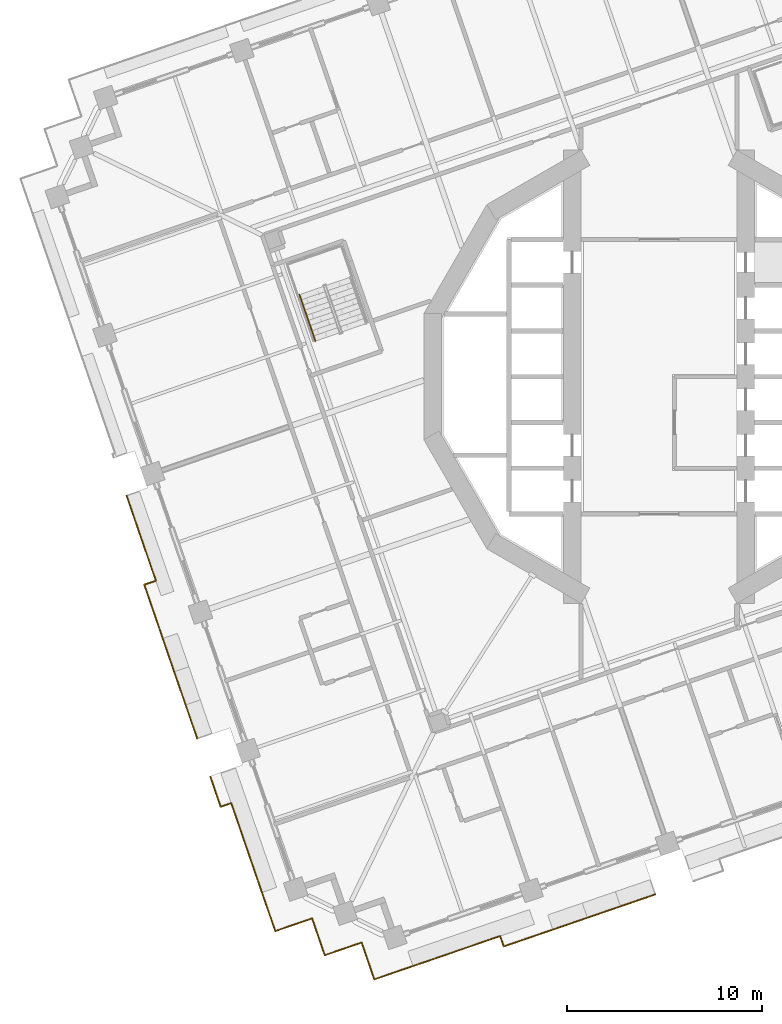
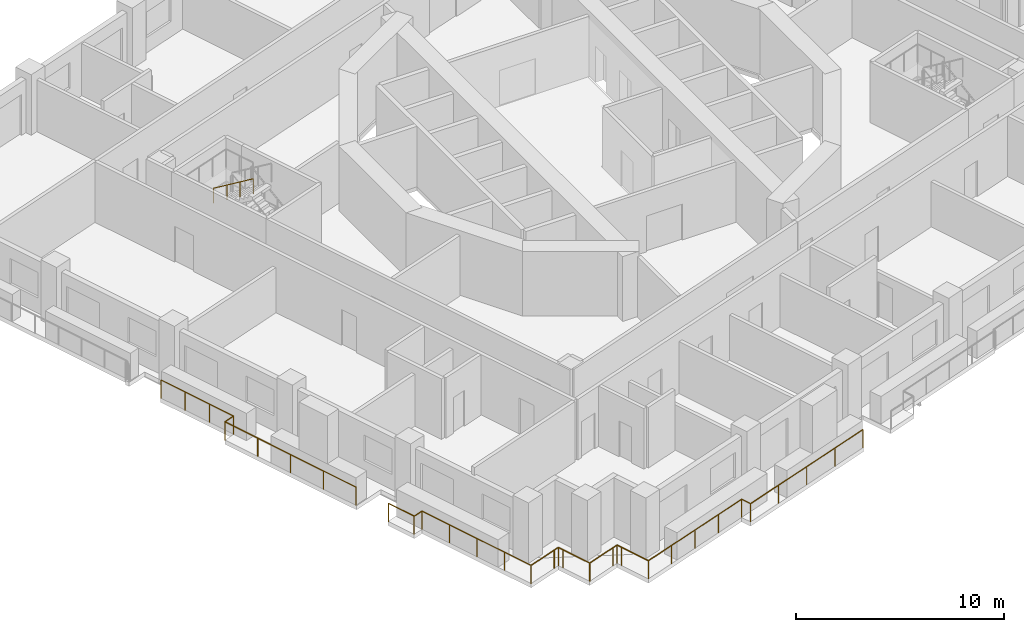
# One storey, part 14 of 19: 5 railings.
"""IFC4 building model written with IfcOpenShell, lengths in metres."""

from ifc_helpers import new_model, si_unit, direction, frame, origin, origin_2d, place, context, subcontext, project, spatial, circle, extrude, material, type_object, element, save


model = new_model("IFC4")

# Units and contexts
model_context = context("Model", 3, precision=1e-05, world=origin(), true_north=direction((0.0, 1.0)))
body_context = subcontext(model_context, "Body", "Model", "MODEL_VIEW")
ifc_project = project(units=[si_unit("LENGTHUNIT", "METRE"), si_unit("AREAUNIT", "SQUARE_METRE"), si_unit("VOLUMEUNIT", "CUBIC_METRE"), si_unit("PLANEANGLEUNIT", "RADIAN"), si_unit("MASSUNIT", "GRAM", prefix="KILO")], contexts=[model_context])

# Site, building, storey
site_placement = place(None, origin())
site = spatial("IfcSite", under=ifc_project, at=site_placement, CompositionType="ELEMENT")
building_placement = place(site_placement, origin())
building = spatial("IfcBuilding", under=site, at=building_placement, Name="Cantera Rosa Tower", CompositionType="ELEMENT")
storey_placement = place(building_placement, frame((0.0, 0.0, 126.89990234375)))
storey = spatial("IfcBuildingStorey", under=building, at=storey_placement, Name="L26", CompositionType="ELEMENT", Elevation=126.89990234375)

# Railings
ifc_material_1 = material(Name="Stainless steel and laminated glass", Category="steel")
railing_type_1 = type_object("IfcRailingType", Name="GUARD 1100", PredefinedType="BALUSTRADE", material=ifc_material_1)
railing_1_placement = place(storey_placement, frame((-18.098388671875, -27.9130859375, 0.0)))
element("IfcRailing", 1, at=railing_1_placement, inside=storey, type_object=railing_type_1, Name="GUARD L26-1", PredefinedType="BALUSTRADE", context=body_context, shape_type="SweptSolid", body=[
    extrude(circle(Radius=0.030029296875, at=origin_2d()), frame((0.0, 0.0, 1.070068359375), z_axis=(-0.945520918819, -0.325561349174, 0.0), x_axis=(0.325561349174, -0.945520918819, 0.0)), (0.0, 0.0, 1.0), 1.699951171875),
    extrude(circle(Radius=0.030029296875, at=origin_2d()), frame((-1.607421875, -0.553466796875, 1.070068359375), z_axis=(-0.325561349174, 0.945520918819, 0.0), x_axis=(-0.945520918819, -0.325561349174, 0.0)), (0.0, 0.0, 1.0), 1.699951171875),
    extrude(circle(Radius=0.030029296875, at=origin_2d()), frame((-2.160888671875, 1.053955078125, 1.070068359375), z_axis=(-0.325547706926, 0.945525616002, 0.0), x_axis=(-0.945525616002, -0.325547706926, 0.0)), (0.0, 0.0, 1.0), 5.248779296875),
    extrude(circle(Radius=0.030029296875, at=origin_2d()), frame((-3.86962890625, 6.016845703125, 1.070068359375), z_axis=(-0.945518182111, -0.325569297229, 0.0), x_axis=(0.325569297229, -0.945518182111, 0.0)), (0.0, 0.0, 1.0), 0.571533203125),
    extrude(circle(Radius=0.030029296875, at=origin_2d()), frame((-4.409912109375, 5.830810546875, 1.070068359375), z_axis=(-0.325495496573, 0.945543590593, 0.0), x_axis=(-0.945543590593, -0.325495496573, 0.0)), (0.0, 0.0, 1.0), 1.64111328125),
    extrude(circle(Radius=0.02490234375, at=origin_2d()), origin(), (0.0, 0.0, 1.0), 1.0400390625),
    extrude(circle(Radius=0.02490234375, at=origin_2d()), frame((-1.607421875, -0.553466796875, 0.0)), (0.0, 0.0, 1.0), 1.0400390625),
    extrude(circle(Radius=0.02490234375, at=origin_2d()), frame((-2.160888671875, 1.053955078125, 0.0)), (0.0, 0.0, 1.0), 1.0400390625),
    extrude(circle(Radius=0.02490234375, at=origin_2d()), frame((-2.73046875, 2.708251953125, 0.0)), (0.0, 0.0, 1.0), 1.0400390625),
    extrude(circle(Radius=0.02490234375, at=origin_2d()), frame((-3.300048828125, 4.362548828125, 0.0)), (0.0, 0.0, 1.0), 1.0400390625),
    extrude(circle(Radius=0.02490234375, at=origin_2d()), frame((-3.86962890625, 6.016845703125, 0.0)), (0.0, 0.0, 1.0), 1.0400390625),
    extrude(circle(Radius=0.02490234375, at=origin_2d()), frame((-4.409912109375, 5.830810546875, 0.0)), (0.0, 0.0, 1.0), 1.0400390625),
    extrude(circle(Radius=0.02490234375, at=origin_2d()), frame((-4.944091796875, 7.382568359375, 0.0)), (0.0, 0.0, 1.0), 1.0400390625),
])
railing_2_placement = place(storey_placement, frame((-0.187255859375, -26.57763671875, 0.0)))
element("IfcRailing", 2, at=railing_2_placement, inside=storey, type_object=railing_type_1, Name="GUARD L26-2", PredefinedType="BALUSTRADE", context=body_context, shape_type="SweptSolid", body=[
    extrude(circle(Radius=0.030029296875, at=origin_2d()), frame((0.0, 0.0, 1.070068359375), z_axis=(-0.945522782274, -0.325555937132, 0.0), x_axis=(0.325555937132, -0.945522782274, 0.0)), (0.0, 0.0, 1.0), 8.238525390625),
    extrude(circle(Radius=0.030029296875, at=origin_2d()), frame((-7.789794921875, -2.68212890625, 1.070068359375), z_axis=(-0.325871596129, 0.945414037782, 0.0), x_axis=(-0.945414037782, -0.325871596129, 0.0)), (0.0, 0.0, 1.0), 0.568603515625),
    extrude(circle(Radius=0.030029296875, at=origin_2d()), frame((-7.97509765625, -2.14453125, 1.070068359375), z_axis=(-0.945515978241, -0.325575697635, 0.0), x_axis=(0.325575697635, -0.945515978241, 0.0)), (0.0, 0.0, 1.0), 5.13134765625),
    extrude(circle(Radius=0.030029296875, at=origin_2d()), frame((-12.826904296875, -3.815185546875, 1.070068359375), z_axis=(-0.945520918819, -0.325561349174, 0.0), x_axis=(0.325561349174, -0.945520918819, 0.0)), (0.0, 0.0, 1.0), 1.699951171875),
    extrude(circle(Radius=0.030029296875, at=origin_2d()), frame((-14.434326171875, -4.36865234375, 1.070068359375), z_axis=(-0.325561349174, 0.945520918819, 0.0), x_axis=(-0.945520918819, -0.325561349174, 0.0)), (0.0, 0.0, 1.0), 1.699951171875),
    extrude(circle(Radius=0.030029296875, at=origin_2d()), frame((-14.98779296875, -2.76123046875, 1.070068359375), z_axis=(-0.325489086777, 0.945545797087, 0.0), x_axis=(-0.945545797087, -0.325489086777, 0.0)), (0.0, 0.0, 1.0), 0.300048828125),
    extrude(circle(Radius=0.030029296875, at=origin_2d()), frame((-15.08544921875, -2.4775390625, 1.070068359375), z_axis=(-0.945459489149, -0.325739703411, 0.0), x_axis=(0.325739703411, -0.945459489149, 0.0)), (0.0, 0.0, 1.0), 0.2998046875),
    extrude(circle(Radius=0.030029296875, at=origin_2d()), frame((-15.368896484375, -2.5751953125, 1.070068359375), z_axis=(-0.945520918819, -0.325561349174, 0.0), x_axis=(0.325561349174, -0.945520918819, 0.0)), (0.0, 0.0, 1.0), 1.699951171875),
    extrude(circle(Radius=0.030029296875, at=origin_2d()), frame((-16.976318359375, -3.128662109375, 1.070068359375), z_axis=(-0.325605561237, 0.945505694584, 0.0), x_axis=(-0.945505694584, -0.325605561237, 0.0)), (0.0, 0.0, 1.0), 1.69970703125),
    extrude(circle(Radius=0.030029296875, at=origin_2d()), frame((-17.52978515625, -1.521484375, 1.070068359375), z_axis=(-0.325489086777, 0.945545797087, 0.0), x_axis=(-0.945545797087, -0.325489086777, 0.0)), (0.0, 0.0, 1.0), 0.300048828125),
    extrude(circle(Radius=0.030029296875, at=origin_2d()), frame((-17.62744140625, -1.23779296875, 1.070068359375), z_axis=(-0.945545797087, -0.325489086777, 0.0), x_axis=(0.325489086777, -0.945545797087, 0.0)), (0.0, 0.0, 1.0), 0.300048828125),
    extrude(circle(Radius=0.02490234375, at=origin_2d()), origin(), (0.0, 0.0, 1.0), 1.0400390625),
    extrude(circle(Radius=0.02490234375, at=origin_2d()), frame((-1.947509765625, -0.67041015625, 0.0)), (0.0, 0.0, 1.0), 1.0400390625),
    extrude(circle(Radius=0.02490234375, at=origin_2d()), frame((-3.89501953125, -1.341064453125, 0.0)), (0.0, 0.0, 1.0), 1.0400390625),
    extrude(circle(Radius=0.02490234375, at=origin_2d()), frame((-5.84228515625, -2.01171875, 0.0)), (0.0, 0.0, 1.0), 1.0400390625),
    extrude(circle(Radius=0.02490234375, at=origin_2d()), frame((-7.789794921875, -2.68212890625, 0.0)), (0.0, 0.0, 1.0), 1.0400390625),
    extrude(circle(Radius=0.02490234375, at=origin_2d()), frame((-7.97509765625, -2.14453125, 0.0)), (0.0, 0.0, 1.0), 1.0400390625),
    extrude(circle(Radius=0.02490234375, at=origin_2d()), frame((-9.59228515625, -2.701416015625, 0.0)), (0.0, 0.0, 1.0), 1.0400390625),
    extrude(circle(Radius=0.02490234375, at=origin_2d()), frame((-11.209716796875, -3.25830078125, 0.0)), (0.0, 0.0, 1.0), 1.0400390625),
    extrude(circle(Radius=0.02490234375, at=origin_2d()), frame((-12.826904296875, -3.815185546875, 0.0)), (0.0, 0.0, 1.0), 1.0400390625),
    extrude(circle(Radius=0.02490234375, at=origin_2d()), frame((-14.434326171875, -4.36865234375, 0.0)), (0.0, 0.0, 1.0), 1.0400390625),
    extrude(circle(Radius=0.02490234375, at=origin_2d()), frame((-14.98779296875, -2.76123046875, 0.0)), (0.0, 0.0, 1.0), 1.0400390625),
    extrude(circle(Radius=0.02490234375, at=origin_2d()), frame((-15.08544921875, -2.4775390625, 0.0)), (0.0, 0.0, 1.0), 1.0400390625),
    extrude(circle(Radius=0.02490234375, at=origin_2d()), frame((-15.368896484375, -2.5751953125, 0.0)), (0.0, 0.0, 1.0), 1.0400390625),
    extrude(circle(Radius=0.02490234375, at=origin_2d()), frame((-16.976318359375, -3.128662109375, 0.0)), (0.0, 0.0, 1.0), 1.0400390625),
    extrude(circle(Radius=0.02490234375, at=origin_2d()), frame((-17.52978515625, -1.521484375, 0.0)), (0.0, 0.0, 1.0), 1.0400390625),
    extrude(circle(Radius=0.02490234375, at=origin_2d()), frame((-17.62744140625, -1.23779296875, 0.0)), (0.0, 0.0, 1.0), 1.0400390625),
    extrude(circle(Radius=0.02490234375, at=origin_2d()), frame((-17.9111328125, -1.33544921875, 0.0)), (0.0, 0.0, 1.0), 1.0400390625),
])
railing_3_placement = place(storey_placement, frame((-25.837158203125, -10.470947265625, 0.0)))
element("IfcRailing", 3, at=railing_3_placement, inside=storey, type_object=railing_type_1, Name="GUARD L26-3", PredefinedType="BALUSTRADE", context=body_context, shape_type="SweptSolid", body=[
    extrude(circle(Radius=0.030029296875, at=origin_2d()), frame((0.0, 0.0, 1.070068359375), z_axis=(-0.325552449264, 0.945523983185, 0.0), x_axis=(-0.945523983185, -0.325552449264, 0.0)), (0.0, 0.0, 1.0), 4.618896484375),
    extrude(circle(Radius=0.02490234375, at=origin_2d()), origin(), (0.0, 0.0, 1.0), 1.0400390625),
    extrude(circle(Radius=0.02490234375, at=origin_2d()), frame((-0.501220703125, 1.455810546875, 0.0)), (0.0, 0.0, 1.0), 1.0400390625),
    extrude(circle(Radius=0.02490234375, at=origin_2d()), frame((-1.00244140625, 2.911376953125, 0.0)), (0.0, 0.0, 1.0), 1.0400390625),
    extrude(circle(Radius=0.02490234375, at=origin_2d()), frame((-1.503662109375, 4.3671875, 0.0)), (0.0, 0.0, 1.0), 1.0400390625),
])
railing_4_placement = place(storey_placement, frame((-23.713134765625, -18.582763671875, 0.0)))
element("IfcRailing", 4, at=railing_4_placement, inside=storey, type_object=railing_type_1, Name="GUARD L26-4", PredefinedType="BALUSTRADE", context=body_context, shape_type="SweptSolid", body=[
    extrude(circle(Radius=0.030029296875, at=origin_2d()), frame((0.0, 0.0, 1.070068359375), z_axis=(-0.325567716601, 0.945518726365, 0.0), x_axis=(-0.945518726365, -0.325567716601, 0.0)), (0.0, 0.0, 1.0), 8.361328125),
    extrude(circle(Radius=0.030029296875, at=origin_2d()), frame((-2.72216796875, 7.90576171875, 1.070068359375), z_axis=(0.945471363195, 0.325705236954, 0.0), x_axis=(-0.325705236954, 0.945471363195, 0.0)), (0.0, 0.0, 1.0), 0.632568359375),
    extrude(circle(Radius=0.02490234375, at=origin_2d()), origin(), (0.0, 0.0, 1.0), 1.0400390625),
    extrude(circle(Radius=0.02490234375, at=origin_2d()), frame((-0.6806640625, 1.9765625, 0.0)), (0.0, 0.0, 1.0), 1.0400390625),
    extrude(circle(Radius=0.02490234375, at=origin_2d()), frame((-1.361083984375, 3.952880859375, 0.0)), (0.0, 0.0, 1.0), 1.0400390625),
    extrude(circle(Radius=0.02490234375, at=origin_2d()), frame((-2.04150390625, 5.92919921875, 0.0)), (0.0, 0.0, 1.0), 1.0400390625),
    extrude(circle(Radius=0.02490234375, at=origin_2d()), frame((-2.72216796875, 7.90576171875, 0.0)), (0.0, 0.0, 1.0), 1.0400390625),
    extrude(circle(Radius=0.02490234375, at=origin_2d()), frame((-2.1240234375, 8.11181640625, 0.0)), (0.0, 0.0, 1.0), 1.0400390625),
])
ifc_material_2 = material(Name="Steel S355J2 (EN 10025-2)", Category="steel")
railing_type_2 = type_object("IfcRailingType", Name="STAIR HANDRAIL 900", PredefinedType="HANDRAIL", material=ifc_material_2)
railing_5_placement = place(storey_placement, frame((-18.46484375, 4.21142578125, 2.090087890625)))
element("IfcRailing", 5, at=railing_5_placement, inside=storey, type_object=railing_type_2, Name="L26 ST-22 stair handrail 2", PredefinedType="HANDRAIL", context=body_context, shape_type="SweptSolid", body=[
    extrude(circle(Radius=0.02392578125, at=origin_2d()), frame((0.0, 0.0, 0.8759765625), z_axis=(0.269432418223, -0.782404165978, 0.561471186323), x_axis=(0.94550776501, 0.325599548996, 0.0)), (0.0, 0.0, 1.0), 3.04541015625),
    extrude(circle(Radius=0.02099609375, at=origin_2d()), origin(), (0.0, 0.0, 1.0), 0.851806640625),
    extrude(circle(Radius=0.02099609375, at=origin_2d()), frame((0.2734375, -0.794189453125, 0.570068359375)), (0.0, 0.0, 1.0), 0.851806640625),
    extrude(circle(Radius=0.02099609375, at=origin_2d()), frame((0.547119140625, -1.588623046875, 1.139892578125)), (0.0, 0.0, 1.0), 0.851806640625),
    extrude(circle(Radius=0.02099609375, at=origin_2d()), frame((0.820556640625, -2.3828125, 1.7099609375)), (0.0, 0.0, 1.0), 0.851806640625),
])

save(model, "model.ifc")
